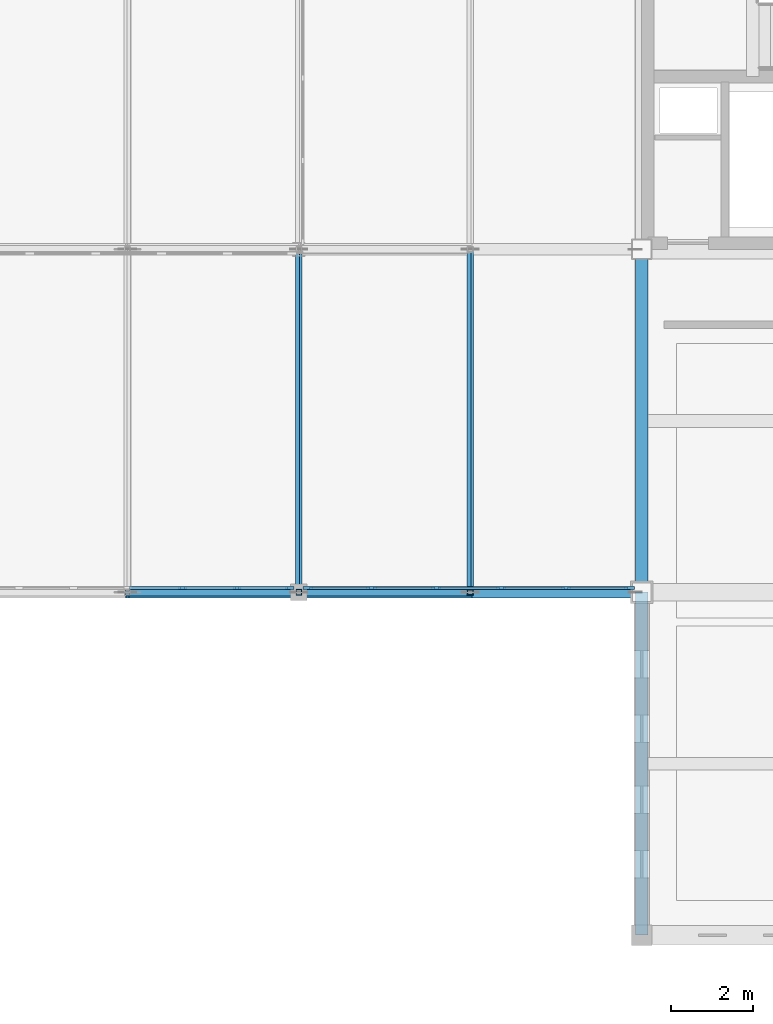
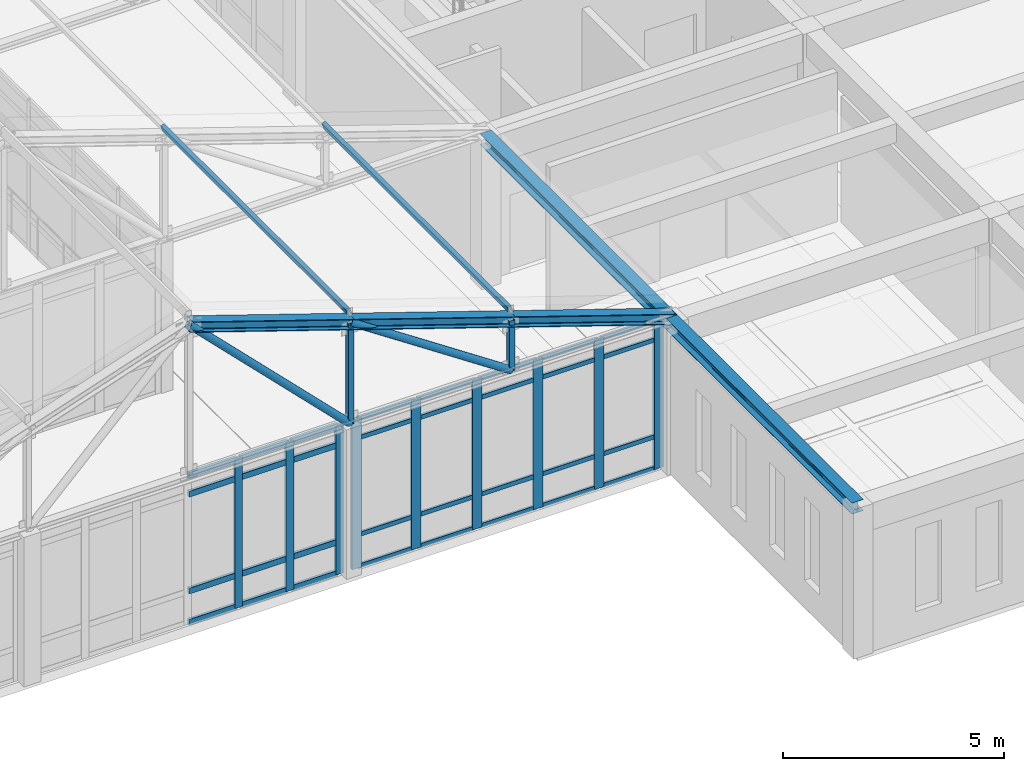
# One storey, part 55 of 192: 50 members, 2 beams, 2 elements without a shape of their own.
"""IFC4 building model written with IfcOpenShell, lengths in metres."""

import ifcopenshell
import ifcopenshell.guid

model = None  # the IFC model being written
_history = None  # IfcOwnerHistory: only IFC2X3 demands one
_inside = {}  # id of a spatial element -> (the spatial element, [elements in it])
_under = {}  # id of a project, library or spatial element -> (it, [spatial elements below it])
_declared = {}  # id of a project -> (the project, [libraries it declares])
_typed = {}  # id of a type object -> (the type object, [elements of that type])
_made_of = {}  # id of a material, layer set ... -> (it, [elements and type objects made of it])


def new_model(schema):
    """Start an empty IFC model of exactly this schema.

    Asked for "IFC4X3", IfcOpenShell would pick the latest addendum, in which some entities
    have other attributes; the version numbers below select the first issue.
    IFC2X3 requires an IfcOwnerHistory on every rooted entity: one is made here for all.
    """
    global model, _history
    if schema == "IFC4X3":
        model = ifcopenshell.file(schema_version=(4, 3, 0, 0))
    else:
        model = ifcopenshell.file(schema=schema)
    _inside.clear()
    _under.clear()
    _declared.clear()
    _typed.clear()
    _made_of.clear()
    _history = None
    if model.schema == "IFC2X3":
        org = make("IfcOrganization", Name="unknown")
        user = make(
            "IfcPersonAndOrganization",
            ThePerson=make("IfcPerson", FamilyName="unknown"),
            TheOrganization=org,
        )
        app = make(
            "IfcApplication",
            ApplicationDeveloper=org,
            Version="unknown",
            ApplicationFullName="unknown",
            ApplicationIdentifier="unknown",
        )
        _history = make(
            "IfcOwnerHistory",
            OwningUser=user,
            OwningApplication=app,
            ChangeAction="ADDED",
            CreationDate=0,
        )
    return model


def make(cls, **values):
    """One entity of the class cls with the attributes given. An attribute that is None is left unset."""
    return model.create_entity(
        cls, **{name: value for name, value in values.items() if value is not None}
    )


def rooted(cls, **values):
    """An entity with a GlobalId (a new one), such as an element, a storey or a relation."""
    return make(cls, GlobalId=ifcopenshell.guid.new(), OwnerHistory=_history, **values)


def si_unit(unit_type, name, prefix=None):
    """IfcSIUnit, for example si_unit("LENGTHUNIT", "METRE", prefix="MILLI")."""
    return make("IfcSIUnit", UnitType=unit_type, Prefix=prefix, Name=name)


def assignment(units):
    """IfcUnitAssignment: the units of a project."""
    return None if units is None else make("IfcUnitAssignment", Units=units)


def point(xyz):
    """IfcCartesianPoint."""
    return None if xyz is None else make("IfcCartesianPoint", Coordinates=xyz)


def direction(xyz):
    """IfcDirection."""
    return None if xyz is None else make("IfcDirection", DirectionRatios=xyz)


def frame(location, z_axis=None, x_axis=None):
    """IfcAxis2Placement3D, a coordinate frame: its origin and axes. An axis left out is left unset."""
    return make(
        "IfcAxis2Placement3D",
        Location=point(location),
        Axis=direction(z_axis),
        RefDirection=direction(x_axis),
    )


def frame_2d(location, x_axis=None):
    """IfcAxis2Placement2D, a coordinate frame in the plane: its origin and x axis."""
    return make(
        "IfcAxis2Placement2D", Location=point(location), RefDirection=direction(x_axis)
    )


def origin():
    """The frame at (0, 0, 0) with its axes left unset."""
    return frame((0.0, 0.0, 0.0))


def origin_2d():
    """The frame at (0, 0) in the plane with its x axis left unset."""
    return frame_2d((0.0, 0.0))


def place(relative_to, where):
    """IfcLocalPlacement: puts the frame where relative to a parent placement (None: the world)."""
    return make(
        "IfcLocalPlacement", PlacementRelTo=relative_to, RelativePlacement=where
    )


def context(
    kind, dimensions, precision=None, world=None, true_north=None, identifier=None
):
    """IfcGeometricRepresentationContext, for example the 3D "Model" context."""
    return make(
        "IfcGeometricRepresentationContext",
        ContextIdentifier=identifier,
        ContextType=kind,
        CoordinateSpaceDimension=dimensions,
        Precision=precision,
        WorldCoordinateSystem=world,
        TrueNorth=true_north,
    )


def subcontext(parent, identifier, kind, view, scale=None):
    """IfcGeometricRepresentationSubContext, for example "Body" below "Model"."""
    return make(
        "IfcGeometricRepresentationSubContext",
        ContextIdentifier=identifier,
        ContextType=kind,
        ParentContext=parent,
        TargetScale=scale,
        TargetView=view,
    )


def project(units=None, contexts=None):
    """IfcProject with its units and contexts."""
    return rooted(
        "IfcProject",
        Name="project",
        RepresentationContexts=contexts,
        UnitsInContext=assignment(units),
    )


def spatial(cls, under=None, at=None, **own):
    """A site, building, storey or space (cls), placed at a placement, below another one or the project."""
    s = rooted(cls, ObjectPlacement=at, **own)
    if under is not None:
        _under.setdefault(under.id(), (under, []))[1].append(s)
    return s


def profile(cls, at=None, kind="AREA", **sizes):
    """A parametric profile (cls). Its sizes go by their IFC names, for example OverallWidth=200.0."""
    return make(cls, ProfileType=kind, Position=at, **sizes)


def rectangle(**sizes):
    """IfcRectangleProfileDef."""
    return profile("IfcRectangleProfileDef", **sizes)


def hollow_rectangle(**sizes):
    """IfcRectangleHollowProfileDef."""
    return profile("IfcRectangleHollowProfileDef", **sizes)


def hollow_circle(**sizes):
    """IfcCircleHollowProfileDef."""
    return profile("IfcCircleHollowProfileDef", **sizes)


def i_section(**sizes):
    """IfcIShapeProfileDef."""
    return profile("IfcIShapeProfileDef", **sizes)


def extrude(swept, where, along, depth):
    """IfcExtrudedAreaSolid: the profile swept, set in the frame where, extruded along a direction by depth."""
    return make(
        "IfcExtrudedAreaSolid",
        SweptArea=swept,
        Position=where,
        ExtrudedDirection=direction(along),
        Depth=depth,
    )


def shape(context_of_items, identifier, shape_type, items):
    """IfcShapeRepresentation: the items that make up one representation, for example the "Body"."""
    return make(
        "IfcShapeRepresentation",
        ContextOfItems=context_of_items,
        RepresentationIdentifier=identifier,
        RepresentationType=shape_type,
        Items=items,
    )


def material(Name=None, Category=None):
    """IfcMaterial."""
    return make("IfcMaterial", Name=Name, Category=Category)


def layer(
    of_material, thickness, ventilated=None, Name=None, Category=None, Priority=None
):
    """IfcMaterialLayer: one layer of a wall or slab, of a material (None: an air gap)."""
    return make(
        "IfcMaterialLayer",
        Material=of_material,
        LayerThickness=thickness,
        IsVentilated=ventilated,
        Name=Name,
        Category=Category,
        Priority=Priority,
    )


def layer_set(layers, Name=None):
    """IfcMaterialLayerSet."""
    return make("IfcMaterialLayerSet", MaterialLayers=layers, LayerSetName=Name)


def material_profile(
    of_material, cross_section, Name=None, Category=None, Priority=None
):
    """IfcMaterialProfile: a cross section and its material."""
    return make(
        "IfcMaterialProfile",
        Name=Name,
        Material=of_material,
        Profile=cross_section,
        Priority=Priority,
        Category=Category,
    )


def profile_set(profiles, Name=None, composite=None):
    """IfcMaterialProfileSet."""
    return make(
        "IfcMaterialProfileSet",
        Name=Name,
        MaterialProfiles=profiles,
        CompositeProfile=composite,
    )


def made_of(thing, what):
    """Note that an element or type object is made of a material, layer set ...; save() writes the relation."""
    if what is not None:
        _made_of.setdefault(what.id(), (what, []))[1].append(thing)
    return thing


def type_object(cls, material=None, **own):
    """A type object (cls), such as IfcWallType, which elements share."""
    return made_of(rooted(cls, **own), material)


def element(
    cls,
    number,
    at=None,
    inside=None,
    cuts=None,
    type_object=None,
    material=None,
    context=None,
    identifier="Body",
    shape_type=None,
    held_by="IfcProductDefinitionShape",
    body=None,
    shapes=None,
    **own,
):
    """One element of the class cls, such as IfcWall. Its Tag is "e" and its number.

    at: its placement. inside: the storey or other place that contains it. cuts: it is an
    opening in that element (IfcRelVoidsElement). A single representation is given by context,
    identifier, shape_type and body (its items); several are given by shapes. held_by: the class
    of the entity that holds the representations. save() writes the other relations.
    """
    e = rooted(cls, Tag="e%d" % number, ObjectPlacement=at, **own)
    if body is not None:
        shapes = [shape(context, identifier, shape_type, body)]
    if shapes is not None:
        e.Representation = make(held_by, Representations=shapes)
    if inside is not None:
        _inside.setdefault(inside.id(), (inside, []))[1].append(e)
    if cuts is not None:
        rooted(
            "IfcRelVoidsElement", RelatingBuildingElement=cuts, RelatedOpeningElement=e
        )
    if type_object is not None:
        _typed.setdefault(type_object.id(), (type_object, []))[1].append(e)
    return made_of(e, material)


def aggregate(whole, parts):
    """IfcRelAggregates: a whole, such as a stair, and the parts it consists of."""
    return rooted("IfcRelAggregates", RelatingObject=whole, RelatedObjects=parts)


def save(model, path):
    """Write the relations noted so far, then the file.

    IfcRelAggregates (storeys below a building ...), IfcRelContainedInSpatialStructure (elements
    in a storey), IfcRelDefinesByType, IfcRelAssociatesMaterial and IfcRelDeclares: one each for
    every whole, place, type object, material and project.
    """
    for whole, parts in _under.values():
        aggregate(whole, parts)
    for where, things in _inside.values():
        rooted(
            "IfcRelContainedInSpatialStructure",
            RelatedElements=things,
            RelatingStructure=where,
        )
    for kind, things in _typed.values():
        rooted("IfcRelDefinesByType", RelatedObjects=things, RelatingType=kind)
    for what, things in _made_of.values():
        rooted("IfcRelAssociatesMaterial", RelatedObjects=things, RelatingMaterial=what)
    for by, libraries in _declared.values():
        rooted("IfcRelDeclares", RelatingContext=by, RelatedDefinitions=libraries)
    model.write(path)


model = new_model("IFC4")

# Units and contexts
model_context = context("Model", 3, precision=1e-05, world=origin(), true_north=direction((0.0, 1.0)))
body_context = subcontext(model_context, "Body", "Model", "MODEL_VIEW")
ifc_project = project(units=[si_unit("LENGTHUNIT", "METRE"), si_unit("AREAUNIT", "SQUARE_METRE"), si_unit("VOLUMEUNIT", "CUBIC_METRE"), si_unit("PLANEANGLEUNIT", "RADIAN"), si_unit("MASSUNIT", "GRAM", prefix="KILO")], contexts=[model_context])

# Site, building, storey
site_placement = place(None, origin())
site = spatial("IfcSite", under=ifc_project, at=site_placement, CompositionType="ELEMENT")
building_placement = place(site_placement, origin())
building = spatial("IfcBuilding", under=site, at=building_placement, Name="Kveldsbrygga Polytechnic", CompositionType="ELEMENT")
storey_placement = place(building_placement, frame((0.0, 0.0, 5.43994140625)))
storey = spatial("IfcBuildingStorey", under=building, at=storey_placement, Name="L01", CompositionType="ELEMENT", Elevation=5.43994140625)

# Beams
ifc_material_1 = material(Name="Steel S355", Category="steel")
ifc_material_profile_1 = material_profile(ifc_material_1, i_section(OverallWidth=0.300048828125, OverallDepth=0.31005859375, WebThickness=0.009033203125, FlangeThickness=0.015380859375, FilletRadius=0.027099609375, at=origin_2d()), Name="HEA 320")
ifc_profile_set_1 = profile_set([ifc_material_profile_1], Name="Steel S355")
beam_type = type_object("IfcBeamType", Name="BM-STL-HEA320", PredefinedType="BEAM", material=ifc_profile_set_1)
beam_1_placement = place(storey_placement, frame((75.60009765625, 0.0, 3.965087890625), z_axis=(0.0, 1.0, 0.0), x_axis=(-1.0, 0.0, 0.0)))
element("IfcBeam", 1, at=beam_1_placement, inside=storey, type_object=beam_type, Name="Primary Beam BMY-L01-09-00to01", PredefinedType="BEAM", context=body_context, shape_type="SweptSolid", body=[
    extrude(i_section(OverallWidth=0.300048828125, OverallDepth=0.31005859375, WebThickness=0.009033203125, FlangeThickness=0.015380859375, FilletRadius=0.027099609375, at=origin_2d()), origin(), (0.0, 0.0, 1.0), 8.39990234375),
])
beam_2_placement = place(storey_placement, frame((75.60009765625, 8.39990234375, 3.965087890625), z_axis=(0.0, 1.0, 0.0), x_axis=(-1.0, 0.0, 0.0)))
element("IfcBeam", 2, at=beam_2_placement, inside=storey, type_object=beam_type, Name="Primary Beam BMY-L01-09-01to02", PredefinedType="BEAM", context=body_context, shape_type="SweptSolid", body=[
    extrude(i_section(OverallWidth=0.300048828125, OverallDepth=0.31005859375, WebThickness=0.009033203125, FlangeThickness=0.015380859375, FilletRadius=0.027099609375, at=origin_2d()), origin(), (0.0, 0.0, 1.0), 8.400146484375),
])

# Curtain wall, members
ifc_material_2 = material(Name="Anodised aluminium AW-6060", Category="aluminium")
ifc_layer_1 = layer(ifc_material_2, 0.159912109375)
ifc_layer_set_1 = layer_set([ifc_layer_1], Name="Anodised aluminium AW-6060")
curtain_wall_type_1 = type_object("IfcCurtainWallType", Name="CW-CLER-C", PredefinedType="USERDEFINED", material=ifc_layer_set_1)
curtain_wall_1_placement = place(storey_placement, origin())
curtain_wall_1 = element("IfcCurtainWall", 3, at=curtain_wall_1_placement, inside=storey, type_object=curtain_wall_type_1, Name="Curtain Wall CW-L01-X-07-01", ObjectType="STICK CURTAIN WALL", PredefinedType="USERDEFINED")
ifc_material_profile_2 = material_profile(ifc_material_2, rectangle(XDim=0.074951171875, YDim=0.199951171875, at=origin_2d()), Name="ALU 75x200")
ifc_profile_set_2 = profile_set([ifc_material_profile_2], Name="Anodised aluminium AW-6060")
member_type_1 = type_object("IfcMemberType", Name="CW-MUL-200", PredefinedType="MULLION", material=ifc_profile_set_2)
member_1_placement = place(storey_placement, frame((64.3466796875, 8.5, 0.0), z_axis=(0.0, 0.0, 1.0), x_axis=(0.0, 1.0, 0.0)))
member_1 = element("IfcMember", 4, at=member_1_placement, type_object=member_type_1, Name="CW-03 mullion 5", PredefinedType="MULLION", context=body_context, shape_type="SweptSolid", body=[
    extrude(rectangle(XDim=0.074951171875, YDim=0.199951171875, at=origin_2d()), origin(), (0.0, 0.0, 1.0), 4.1201171875),
])
member_2_placement = place(storey_placement, frame((65.680908203125, 8.5, 0.0), z_axis=(0.0, 0.0, 1.0), x_axis=(0.0, 1.0, 0.0)))
member_2 = element("IfcMember", 5, at=member_2_placement, type_object=member_type_1, Name="CW-03 mullion 6", PredefinedType="MULLION", context=body_context, shape_type="SweptSolid", body=[
    extrude(rectangle(XDim=0.074951171875, YDim=0.199951171875, at=origin_2d()), origin(), (0.0, 0.0, 1.0), 4.1201171875),
])
member_3_placement = place(storey_placement, frame((66.9775390625, 8.5, 0.0), z_axis=(0.0, 0.0, 1.0), x_axis=(0.0, 1.0, 0.0)))
member_3 = element("IfcMember", 6, at=member_3_placement, type_object=member_type_1, Name="CW-03 mullion 7", PredefinedType="MULLION", context=body_context, shape_type="SweptSolid", body=[
    extrude(rectangle(XDim=0.074951171875, YDim=0.199951171875, at=origin_2d()), origin(), (0.0, 0.0, 1.0), 4.1201171875),
])

ifc_layer_2 = layer(ifc_material_2, 0.179931640625)
ifc_layer_set_2 = layer_set([ifc_layer_2], Name="Anodised aluminium AW-6060")
curtain_wall_type_2 = type_object("IfcCurtainWallType", Name="CW-LANC-D", PredefinedType="USERDEFINED", material=ifc_layer_set_2)
curtain_wall_2_placement = place(storey_placement, origin())
curtain_wall_2 = element("IfcCurtainWall", 7, at=curtain_wall_2_placement, inside=storey, type_object=curtain_wall_type_2, Name="Curtain Wall CW-L01-X-08-01", ObjectType="UNITISED CURTAIN WALL", PredefinedType="USERDEFINED")
ifc_material_profile_3 = material_profile(ifc_material_2, rectangle(XDim=0.074951171875, YDim=0.239990234375, at=origin_2d()), Name="ALU 75x240")
ifc_profile_set_3 = profile_set([ifc_material_profile_3], Name="Anodised aluminium AW-6060")
member_type_2 = type_object("IfcMemberType", Name="CW-MUL-240", PredefinedType="MULLION", material=ifc_profile_set_3)
member_4_placement = place(storey_placement, frame((67.422607421875, 8.5, 0.0), z_axis=(0.0, 0.0, 1.0), x_axis=(0.0, 1.0, 0.0)))
member_4 = element("IfcMember", 8, at=member_4_placement, type_object=member_type_2, Name="CW-04 mullion 1", PredefinedType="MULLION", context=body_context, shape_type="SweptSolid", body=[
    extrude(rectangle(XDim=0.074951171875, YDim=0.239990234375, at=origin_2d()), origin(), (0.0, 0.0, 1.0), 4.1201171875),
])
member_5_placement = place(storey_placement, frame((68.97607421875, 8.5, 0.0), z_axis=(0.0, 0.0, 1.0), x_axis=(0.0, 1.0, 0.0)))
member_5 = element("IfcMember", 9, at=member_5_placement, type_object=member_type_2, Name="CW-04 mullion 2", PredefinedType="MULLION", context=body_context, shape_type="SweptSolid", body=[
    extrude(rectangle(XDim=0.074951171875, YDim=0.239990234375, at=origin_2d()), origin(), (0.0, 0.0, 1.0), 4.1201171875),
])
member_6_placement = place(storey_placement, frame((70.56689453125, 8.5, 0.0), z_axis=(0.0, 0.0, 1.0), x_axis=(0.0, 1.0, 0.0)))
member_6 = element("IfcMember", 10, at=member_6_placement, type_object=member_type_2, Name="CW-04 mullion 3", PredefinedType="MULLION", context=body_context, shape_type="SweptSolid", body=[
    extrude(rectangle(XDim=0.074951171875, YDim=0.239990234375, at=origin_2d()), origin(), (0.0, 0.0, 1.0), 4.1201171875),
])
member_7_placement = place(storey_placement, frame((72.157958984375, 8.5, 0.0), z_axis=(0.0, 0.0, 1.0), x_axis=(0.0, 1.0, 0.0)))
member_7 = element("IfcMember", 11, at=member_7_placement, type_object=member_type_2, Name="CW-04 mullion 4", PredefinedType="MULLION", context=body_context, shape_type="SweptSolid", body=[
    extrude(rectangle(XDim=0.074951171875, YDim=0.239990234375, at=origin_2d()), origin(), (0.0, 0.0, 1.0), 4.1201171875),
])
member_8_placement = place(storey_placement, frame((73.7490234375, 8.5, 0.0), z_axis=(0.0, 0.0, 1.0), x_axis=(0.0, 1.0, 0.0)))
member_8 = element("IfcMember", 12, at=member_8_placement, type_object=member_type_2, Name="CW-04 mullion 5", PredefinedType="MULLION", context=body_context, shape_type="SweptSolid", body=[
    extrude(rectangle(XDim=0.074951171875, YDim=0.239990234375, at=origin_2d()), origin(), (0.0, 0.0, 1.0), 4.1201171875),
])
member_9_placement = place(storey_placement, frame((75.302490234375, 8.5, 0.0), z_axis=(0.0, 0.0, 1.0), x_axis=(0.0, 1.0, 0.0)))
member_9 = element("IfcMember", 13, at=member_9_placement, type_object=member_type_2, Name="CW-04 mullion 6", PredefinedType="MULLION", context=body_context, shape_type="SweptSolid", body=[
    extrude(rectangle(XDim=0.074951171875, YDim=0.239990234375, at=origin_2d()), origin(), (0.0, 0.0, 1.0), 4.1201171875),
])
ifc_material_profile_4 = material_profile(ifc_material_2, rectangle(XDim=0.06005859375, YDim=0.1201171875, at=origin_2d()), Name="ALU 60x120")
ifc_profile_set_4 = profile_set([ifc_material_profile_4], Name="Anodised aluminium AW-6060")
member_type_3 = type_object("IfcMemberType", Name="CW-TRN-120", PredefinedType="USERDEFINED", material=ifc_profile_set_4)
member_10_placement = place(storey_placement, frame((67.4599609375, 8.5, 0.030029296875), z_axis=(1.0, 0.0, 0.0), x_axis=(0.0, 1.0, 0.0)))
member_10 = element("IfcMember", 14, at=member_10_placement, type_object=member_type_3, Name="CW-04 transom 1.1", ObjectType="TRANSOM", PredefinedType="USERDEFINED", context=body_context, shape_type="SweptSolid", body=[
    extrude(rectangle(XDim=0.06005859375, YDim=0.1201171875, at=origin_2d()), origin(), (0.0, 0.0, 1.0), 1.478515625),
])
member_11_placement = place(storey_placement, frame((67.4599609375, 8.5, 0.900146484375), z_axis=(1.0, 0.0, 0.0), x_axis=(0.0, 1.0, 0.0)))
member_11 = element("IfcMember", 15, at=member_11_placement, type_object=member_type_3, Name="CW-04 transom 1.2", ObjectType="TRANSOM", PredefinedType="USERDEFINED", context=body_context, shape_type="SweptSolid", body=[
    extrude(rectangle(XDim=0.06005859375, YDim=0.1201171875, at=origin_2d()), origin(), (0.0, 0.0, 1.0), 1.478515625),
])
member_12_placement = place(storey_placement, frame((67.4599609375, 8.5, 3.570068359375), z_axis=(1.0, 0.0, 0.0), x_axis=(0.0, 1.0, 0.0)))
member_12 = element("IfcMember", 16, at=member_12_placement, type_object=member_type_3, Name="CW-04 transom 1.3", ObjectType="TRANSOM", PredefinedType="USERDEFINED", context=body_context, shape_type="SweptSolid", body=[
    extrude(rectangle(XDim=0.06005859375, YDim=0.1201171875, at=origin_2d()), origin(), (0.0, 0.0, 1.0), 1.478515625),
])
member_13_placement = place(storey_placement, frame((67.4599609375, 8.5, 4.090087890625), z_axis=(1.0, 0.0, 0.0), x_axis=(0.0, 1.0, 0.0)))
member_13 = element("IfcMember", 17, at=member_13_placement, type_object=member_type_3, Name="CW-04 transom 1.4", ObjectType="TRANSOM", PredefinedType="USERDEFINED", context=body_context, shape_type="SweptSolid", body=[
    extrude(rectangle(XDim=0.06005859375, YDim=0.1201171875, at=origin_2d()), origin(), (0.0, 0.0, 1.0), 1.478515625),
])
member_14_placement = place(storey_placement, frame((69.013427734375, 8.5, 0.030029296875), z_axis=(1.0, 0.0, 0.0), x_axis=(0.0, 1.0, 0.0)))
member_14 = element("IfcMember", 18, at=member_14_placement, type_object=member_type_3, Name="CW-04 transom 2.1", ObjectType="TRANSOM", PredefinedType="USERDEFINED", context=body_context, shape_type="SweptSolid", body=[
    extrude(rectangle(XDim=0.06005859375, YDim=0.1201171875, at=origin_2d()), origin(), (0.0, 0.0, 1.0), 1.51611328125),
])
member_15_placement = place(storey_placement, frame((69.013427734375, 8.5, 0.900146484375), z_axis=(1.0, 0.0, 0.0), x_axis=(0.0, 1.0, 0.0)))
member_15 = element("IfcMember", 19, at=member_15_placement, type_object=member_type_3, Name="CW-04 transom 2.2", ObjectType="TRANSOM", PredefinedType="USERDEFINED", context=body_context, shape_type="SweptSolid", body=[
    extrude(rectangle(XDim=0.06005859375, YDim=0.1201171875, at=origin_2d()), origin(), (0.0, 0.0, 1.0), 1.51611328125),
])
member_16_placement = place(storey_placement, frame((69.013427734375, 8.5, 3.570068359375), z_axis=(1.0, 0.0, 0.0), x_axis=(0.0, 1.0, 0.0)))
member_16 = element("IfcMember", 20, at=member_16_placement, type_object=member_type_3, Name="CW-04 transom 2.3", ObjectType="TRANSOM", PredefinedType="USERDEFINED", context=body_context, shape_type="SweptSolid", body=[
    extrude(rectangle(XDim=0.06005859375, YDim=0.1201171875, at=origin_2d()), origin(), (0.0, 0.0, 1.0), 1.51611328125),
])
member_17_placement = place(storey_placement, frame((69.013427734375, 8.5, 4.090087890625), z_axis=(1.0, 0.0, 0.0), x_axis=(0.0, 1.0, 0.0)))
member_17 = element("IfcMember", 21, at=member_17_placement, type_object=member_type_3, Name="CW-04 transom 2.4", ObjectType="TRANSOM", PredefinedType="USERDEFINED", context=body_context, shape_type="SweptSolid", body=[
    extrude(rectangle(XDim=0.06005859375, YDim=0.1201171875, at=origin_2d()), origin(), (0.0, 0.0, 1.0), 1.51611328125),
])
member_18_placement = place(storey_placement, frame((70.6044921875, 8.5, 0.030029296875), z_axis=(1.0, 0.0, 0.0), x_axis=(0.0, 1.0, 0.0)))
member_18 = element("IfcMember", 22, at=member_18_placement, type_object=member_type_3, Name="CW-04 transom 3.1", ObjectType="TRANSOM", PredefinedType="USERDEFINED", context=body_context, shape_type="SweptSolid", body=[
    extrude(rectangle(XDim=0.06005859375, YDim=0.1201171875, at=origin_2d()), origin(), (0.0, 0.0, 1.0), 1.51611328125),
])
member_19_placement = place(storey_placement, frame((70.6044921875, 8.5, 0.900146484375), z_axis=(1.0, 0.0, 0.0), x_axis=(0.0, 1.0, 0.0)))
member_19 = element("IfcMember", 23, at=member_19_placement, type_object=member_type_3, Name="CW-04 transom 3.2", ObjectType="TRANSOM", PredefinedType="USERDEFINED", context=body_context, shape_type="SweptSolid", body=[
    extrude(rectangle(XDim=0.06005859375, YDim=0.1201171875, at=origin_2d()), origin(), (0.0, 0.0, 1.0), 1.51611328125),
])
member_20_placement = place(storey_placement, frame((70.6044921875, 8.5, 3.570068359375), z_axis=(1.0, 0.0, 0.0), x_axis=(0.0, 1.0, 0.0)))
member_20 = element("IfcMember", 24, at=member_20_placement, type_object=member_type_3, Name="CW-04 transom 3.3", ObjectType="TRANSOM", PredefinedType="USERDEFINED", context=body_context, shape_type="SweptSolid", body=[
    extrude(rectangle(XDim=0.06005859375, YDim=0.1201171875, at=origin_2d()), origin(), (0.0, 0.0, 1.0), 1.51611328125),
])
member_21_placement = place(storey_placement, frame((70.6044921875, 8.5, 4.090087890625), z_axis=(1.0, 0.0, 0.0), x_axis=(0.0, 1.0, 0.0)))
member_21 = element("IfcMember", 25, at=member_21_placement, type_object=member_type_3, Name="CW-04 transom 3.4", ObjectType="TRANSOM", PredefinedType="USERDEFINED", context=body_context, shape_type="SweptSolid", body=[
    extrude(rectangle(XDim=0.06005859375, YDim=0.1201171875, at=origin_2d()), origin(), (0.0, 0.0, 1.0), 1.51611328125),
])
member_22_placement = place(storey_placement, frame((72.195556640625, 8.5, 0.030029296875), z_axis=(1.0, 0.0, 0.0), x_axis=(0.0, 1.0, 0.0)))
member_22 = element("IfcMember", 26, at=member_22_placement, type_object=member_type_3, Name="CW-04 transom 4.1", ObjectType="TRANSOM", PredefinedType="USERDEFINED", context=body_context, shape_type="SweptSolid", body=[
    extrude(rectangle(XDim=0.06005859375, YDim=0.1201171875, at=origin_2d()), origin(), (0.0, 0.0, 1.0), 1.515869140625),
])
member_23_placement = place(storey_placement, frame((72.195556640625, 8.5, 0.900146484375), z_axis=(1.0, 0.0, 0.0), x_axis=(0.0, 1.0, 0.0)))
member_23 = element("IfcMember", 27, at=member_23_placement, type_object=member_type_3, Name="CW-04 transom 4.2", ObjectType="TRANSOM", PredefinedType="USERDEFINED", context=body_context, shape_type="SweptSolid", body=[
    extrude(rectangle(XDim=0.06005859375, YDim=0.1201171875, at=origin_2d()), origin(), (0.0, 0.0, 1.0), 1.515869140625),
])
member_24_placement = place(storey_placement, frame((72.195556640625, 8.5, 3.570068359375), z_axis=(1.0, 0.0, 0.0), x_axis=(0.0, 1.0, 0.0)))
member_24 = element("IfcMember", 28, at=member_24_placement, type_object=member_type_3, Name="CW-04 transom 4.3", ObjectType="TRANSOM", PredefinedType="USERDEFINED", context=body_context, shape_type="SweptSolid", body=[
    extrude(rectangle(XDim=0.06005859375, YDim=0.1201171875, at=origin_2d()), origin(), (0.0, 0.0, 1.0), 1.515869140625),
])
member_25_placement = place(storey_placement, frame((72.195556640625, 8.5, 4.090087890625), z_axis=(1.0, 0.0, 0.0), x_axis=(0.0, 1.0, 0.0)))
member_25 = element("IfcMember", 29, at=member_25_placement, type_object=member_type_3, Name="CW-04 transom 4.4", ObjectType="TRANSOM", PredefinedType="USERDEFINED", context=body_context, shape_type="SweptSolid", body=[
    extrude(rectangle(XDim=0.06005859375, YDim=0.1201171875, at=origin_2d()), origin(), (0.0, 0.0, 1.0), 1.515869140625),
])
member_26_placement = place(storey_placement, frame((73.78662109375, 8.5, 0.030029296875), z_axis=(1.0, 0.0, 0.0), x_axis=(0.0, 1.0, 0.0)))
member_26 = element("IfcMember", 30, at=member_26_placement, type_object=member_type_3, Name="CW-04 transom 5.1", ObjectType="TRANSOM", PredefinedType="USERDEFINED", context=body_context, shape_type="SweptSolid", body=[
    extrude(rectangle(XDim=0.06005859375, YDim=0.1201171875, at=origin_2d()), origin(), (0.0, 0.0, 1.0), 1.478271484375),
])
member_27_placement = place(storey_placement, frame((73.78662109375, 8.5, 0.900146484375), z_axis=(1.0, 0.0, 0.0), x_axis=(0.0, 1.0, 0.0)))
member_27 = element("IfcMember", 31, at=member_27_placement, type_object=member_type_3, Name="CW-04 transom 5.2", ObjectType="TRANSOM", PredefinedType="USERDEFINED", context=body_context, shape_type="SweptSolid", body=[
    extrude(rectangle(XDim=0.06005859375, YDim=0.1201171875, at=origin_2d()), origin(), (0.0, 0.0, 1.0), 1.478271484375),
])
member_28_placement = place(storey_placement, frame((73.78662109375, 8.5, 3.570068359375), z_axis=(1.0, 0.0, 0.0), x_axis=(0.0, 1.0, 0.0)))
member_28 = element("IfcMember", 32, at=member_28_placement, type_object=member_type_3, Name="CW-04 transom 5.3", ObjectType="TRANSOM", PredefinedType="USERDEFINED", context=body_context, shape_type="SweptSolid", body=[
    extrude(rectangle(XDim=0.06005859375, YDim=0.1201171875, at=origin_2d()), origin(), (0.0, 0.0, 1.0), 1.478271484375),
])
member_29_placement = place(storey_placement, frame((73.78662109375, 8.5, 4.090087890625), z_axis=(1.0, 0.0, 0.0), x_axis=(0.0, 1.0, 0.0)))
member_29 = element("IfcMember", 33, at=member_29_placement, type_object=member_type_3, Name="CW-04 transom 5.4", ObjectType="TRANSOM", PredefinedType="USERDEFINED", context=body_context, shape_type="SweptSolid", body=[
    extrude(rectangle(XDim=0.06005859375, YDim=0.1201171875, at=origin_2d()), origin(), (0.0, 0.0, 1.0), 1.478271484375),
])
aggregate(curtain_wall_2, [member_4, member_5, member_6, member_7, member_8, member_9, member_10, member_11, member_12, member_13, member_14, member_15, member_16, member_17, member_18, member_19, member_20, member_21, member_22, member_23, member_24, member_25, member_26, member_27, member_28, member_29])

# Member
ifc_material_profile_5 = material_profile(ifc_material_2, rectangle(XDim=0.074951171875, YDim=0.159912109375, at=origin_2d()), Name="ALU 75x160")
ifc_profile_set_5 = profile_set([ifc_material_profile_5], Name="Anodised aluminium AW-6060")
member_type_4 = type_object("IfcMemberType", Name="CW-TRN-160", PredefinedType="USERDEFINED", material=ifc_profile_set_5)
member_30_placement = place(storey_placement, frame((63.050048828125, 8.5, 0.03759765625), z_axis=(1.0, 0.0, 0.0), x_axis=(0.0, 1.0, 0.0)))
member_30 = element("IfcMember", 34, at=member_30_placement, type_object=member_type_4, Name="CW-03 transom 4.1", ObjectType="TRANSOM", PredefinedType="USERDEFINED", context=body_context, shape_type="SweptSolid", body=[
    extrude(rectangle(XDim=0.074951171875, YDim=0.159912109375, at=origin_2d()), origin(), (0.0, 0.0, 1.0), 1.259033203125),
])

member_31_placement = place(storey_placement, frame((63.050048828125, 8.5, 0.900146484375), z_axis=(1.0, 0.0, 0.0), x_axis=(0.0, 1.0, 0.0)))
member_31 = element("IfcMember", 35, at=member_31_placement, type_object=member_type_4, Name="CW-03 transom 4.2", ObjectType="TRANSOM", PredefinedType="USERDEFINED", context=body_context, shape_type="SweptSolid", body=[
    extrude(rectangle(XDim=0.074951171875, YDim=0.159912109375, at=origin_2d()), origin(), (0.0, 0.0, 1.0), 1.259033203125),
])

member_32_placement = place(storey_placement, frame((63.050048828125, 8.5, 3.570068359375), z_axis=(1.0, 0.0, 0.0), x_axis=(0.0, 1.0, 0.0)))
member_32 = element("IfcMember", 36, at=member_32_placement, type_object=member_type_4, Name="CW-03 transom 4.3", ObjectType="TRANSOM", PredefinedType="USERDEFINED", context=body_context, shape_type="SweptSolid", body=[
    extrude(rectangle(XDim=0.074951171875, YDim=0.159912109375, at=origin_2d()), origin(), (0.0, 0.0, 1.0), 1.259033203125),
])

member_33_placement = place(storey_placement, frame((63.050048828125, 8.5, 4.08251953125), z_axis=(1.0, 0.0, 0.0), x_axis=(0.0, 1.0, 0.0)))
member_33 = element("IfcMember", 37, at=member_33_placement, type_object=member_type_4, Name="CW-03 transom 4.4", ObjectType="TRANSOM", PredefinedType="USERDEFINED", context=body_context, shape_type="SweptSolid", body=[
    extrude(rectangle(XDim=0.074951171875, YDim=0.159912109375, at=origin_2d()), origin(), (0.0, 0.0, 1.0), 1.259033203125),
])

member_34_placement = place(storey_placement, frame((64.38427734375, 8.5, 0.03759765625), z_axis=(1.0, 0.0, 0.0), x_axis=(0.0, 1.0, 0.0)))
member_34 = element("IfcMember", 38, at=member_34_placement, type_object=member_type_4, Name="CW-03 transom 5.1", ObjectType="TRANSOM", PredefinedType="USERDEFINED", context=body_context, shape_type="SweptSolid", body=[
    extrude(rectangle(XDim=0.074951171875, YDim=0.159912109375, at=origin_2d()), origin(), (0.0, 0.0, 1.0), 1.259033203125),
])

member_35_placement = place(storey_placement, frame((64.38427734375, 8.5, 0.900146484375), z_axis=(1.0, 0.0, 0.0), x_axis=(0.0, 1.0, 0.0)))
member_35 = element("IfcMember", 39, at=member_35_placement, type_object=member_type_4, Name="CW-03 transom 5.2", ObjectType="TRANSOM", PredefinedType="USERDEFINED", context=body_context, shape_type="SweptSolid", body=[
    extrude(rectangle(XDim=0.074951171875, YDim=0.159912109375, at=origin_2d()), origin(), (0.0, 0.0, 1.0), 1.259033203125),
])

member_36_placement = place(storey_placement, frame((64.38427734375, 8.5, 3.570068359375), z_axis=(1.0, 0.0, 0.0), x_axis=(0.0, 1.0, 0.0)))
member_36 = element("IfcMember", 40, at=member_36_placement, type_object=member_type_4, Name="CW-03 transom 5.3", ObjectType="TRANSOM", PredefinedType="USERDEFINED", context=body_context, shape_type="SweptSolid", body=[
    extrude(rectangle(XDim=0.074951171875, YDim=0.159912109375, at=origin_2d()), origin(), (0.0, 0.0, 1.0), 1.259033203125),
])

member_37_placement = place(storey_placement, frame((64.38427734375, 8.5, 4.08251953125), z_axis=(1.0, 0.0, 0.0), x_axis=(0.0, 1.0, 0.0)))
member_37 = element("IfcMember", 41, at=member_37_placement, type_object=member_type_4, Name="CW-03 transom 5.4", ObjectType="TRANSOM", PredefinedType="USERDEFINED", context=body_context, shape_type="SweptSolid", body=[
    extrude(rectangle(XDim=0.074951171875, YDim=0.159912109375, at=origin_2d()), origin(), (0.0, 0.0, 1.0), 1.259033203125),
])

member_38_placement = place(storey_placement, frame((65.71826171875, 8.5, 0.03759765625), z_axis=(1.0, 0.0, 0.0), x_axis=(0.0, 1.0, 0.0)))
member_38 = element("IfcMember", 42, at=member_38_placement, type_object=member_type_4, Name="CW-03 transom 6.1", ObjectType="TRANSOM", PredefinedType="USERDEFINED", context=body_context, shape_type="SweptSolid", body=[
    extrude(rectangle(XDim=0.074951171875, YDim=0.159912109375, at=origin_2d()), origin(), (0.0, 0.0, 1.0), 1.2216796875),
])

member_39_placement = place(storey_placement, frame((65.71826171875, 8.5, 0.900146484375), z_axis=(1.0, 0.0, 0.0), x_axis=(0.0, 1.0, 0.0)))
member_39 = element("IfcMember", 43, at=member_39_placement, type_object=member_type_4, Name="CW-03 transom 6.2", ObjectType="TRANSOM", PredefinedType="USERDEFINED", context=body_context, shape_type="SweptSolid", body=[
    extrude(rectangle(XDim=0.074951171875, YDim=0.159912109375, at=origin_2d()), origin(), (0.0, 0.0, 1.0), 1.2216796875),
])

member_40_placement = place(storey_placement, frame((65.71826171875, 8.5, 3.570068359375), z_axis=(1.0, 0.0, 0.0), x_axis=(0.0, 1.0, 0.0)))
member_40 = element("IfcMember", 44, at=member_40_placement, type_object=member_type_4, Name="CW-03 transom 6.3", ObjectType="TRANSOM", PredefinedType="USERDEFINED", context=body_context, shape_type="SweptSolid", body=[
    extrude(rectangle(XDim=0.074951171875, YDim=0.159912109375, at=origin_2d()), origin(), (0.0, 0.0, 1.0), 1.2216796875),
])

member_41_placement = place(storey_placement, frame((65.71826171875, 8.5, 4.08251953125), z_axis=(1.0, 0.0, 0.0), x_axis=(0.0, 1.0, 0.0)))
member_41 = element("IfcMember", 45, at=member_41_placement, type_object=member_type_4, Name="CW-03 transom 6.4", ObjectType="TRANSOM", PredefinedType="USERDEFINED", context=body_context, shape_type="SweptSolid", body=[
    extrude(rectangle(XDim=0.074951171875, YDim=0.159912109375, at=origin_2d()), origin(), (0.0, 0.0, 1.0), 1.2216796875),
])

aggregate(curtain_wall_1, [member_1, member_2, member_3, member_30, member_31, member_32, member_33, member_34, member_35, member_36, member_37, member_38, member_39, member_40, member_41])

# Members
ifc_material_profile_6 = material_profile(ifc_material_1, hollow_rectangle(XDim=0.10009765625, YDim=0.199951171875, WallThickness=0.010009765625, at=origin_2d()), Name="RHS 200x100x10.0")
ifc_profile_set_6 = profile_set([ifc_material_profile_6], Name="Steel S355")
member_type_5 = type_object("IfcMemberType", Name="PRL-RHS200", PredefinedType="PURLIN", material=ifc_profile_set_6)
for number, where, z_axis, x_axis, name in (
    (46, (67.199951171875, 8.39990234375, 7.173095703125), (0.0, 1.0, 0.0), (-0.948683567514, 0.0, -0.316226957624), "Roof Purlin V5C-PRL-1-4"),
    (47, (71.39990234375, 8.39990234375, 5.77294921875), (0.0, 1.0, 0.0), (-0.948683567514, 0.0, -0.316226957624), "Roof Purlin V5C-PRL-1-5"),
):
    element("IfcMember", number, at=place(storey_placement, frame(where, z_axis=z_axis, x_axis=x_axis)), inside=storey, type_object=member_type_5, Name=name, PredefinedType="PURLIN", context=body_context, shape_type="SweptSolid", body=[
        extrude(hollow_rectangle(XDim=0.10009765625, YDim=0.199951171875, WallThickness=0.010009765625, at=origin_2d()), origin(), (0.0, 0.0, 1.0), 8.400146484375),
    ])
ifc_material_profile_7 = material_profile(ifc_material_1, hollow_circle(Radius=0.096923828125, WallThickness=0.010009765625, at=origin_2d()), Name="CHS 193.7x10.0")
ifc_profile_set_7 = profile_set([ifc_material_profile_7], Name="Steel S355")
member_type_6 = type_object("IfcMemberType", Name="TR-DIAG-CHS194", PredefinedType="BRACE", material=ifc_profile_set_7)
member_42_placement = place(storey_placement, frame((63.0, 8.39990234375, 8.320068359375), z_axis=(0.707106781187, 0.0, -0.707106781187), x_axis=(0.0, 1.0, 0.0)))
element("IfcMember", 48, at=member_42_placement, inside=storey, type_object=member_type_6, Name="Truss Diagonal V5C-T01-DG-4", PredefinedType="BRACE", context=body_context, shape_type="SweptSolid", body=[
    extrude(hollow_circle(Radius=0.096923828125, WallThickness=0.010009765625, at=origin_2d()), origin(), (0.0, 0.0, 1.0), 5.939697265625),
])
member_43_placement = place(storey_placement, frame((67.199951171875, 8.39990234375, 6.920166015625), z_axis=(0.832042853317, 0.0, -0.554711357594), x_axis=(0.0, 1.0, 0.0)))
element("IfcMember", 49, at=member_43_placement, inside=storey, type_object=member_type_6, Name="Truss Diagonal V5C-T01-DG-5", PredefinedType="BRACE", context=body_context, shape_type="SweptSolid", body=[
    extrude(hollow_circle(Radius=0.096923828125, WallThickness=0.010009765625, at=origin_2d()), origin(), (0.0, 0.0, 1.0), 5.0478515625),
])
ifc_material_profile_8 = material_profile(ifc_material_1, hollow_rectangle(XDim=0.139892578125, YDim=0.139892578125, WallThickness=0.008056640625, at=origin_2d()), Name="SHS 140x140x8.0")
ifc_profile_set_8 = profile_set([ifc_material_profile_8], Name="Steel S355")
member_type_7 = type_object("IfcMemberType", Name="TR-POST-SHS140", PredefinedType="STRUT", material=ifc_profile_set_8)
member_44_placement = place(storey_placement, frame((67.199951171875, 8.39990234375, 4.1201171875), z_axis=(0.0, 0.0, 1.0), x_axis=(1.0, 0.0, 0.0)))
element("IfcMember", 50, at=member_44_placement, inside=storey, type_object=member_type_7, Name="Truss Vertical V5C-T01-VT-4", PredefinedType="STRUT", context=body_context, shape_type="SweptSolid", body=[
    extrude(hollow_rectangle(XDim=0.139892578125, YDim=0.139892578125, WallThickness=0.008056640625, at=origin_2d()), origin(), (0.0, 0.0, 1.0), 2.800048828125),
])
member_45_placement = place(storey_placement, frame((71.39990234375, 8.39990234375, 4.1201171875), z_axis=(0.0, 0.0, 1.0), x_axis=(1.0, 0.0, 0.0)))
element("IfcMember", 51, at=member_45_placement, inside=storey, type_object=member_type_7, Name="Truss Vertical V5C-T01-VT-5", PredefinedType="STRUT", context=body_context, shape_type="SweptSolid", body=[
    extrude(hollow_rectangle(XDim=0.139892578125, YDim=0.139892578125, WallThickness=0.008056640625, at=origin_2d()), origin(), (0.0, 0.0, 1.0), 1.39990234375),
])
ifc_material_profile_9 = material_profile(ifc_material_1, i_section(OverallWidth=0.280029296875, OverallDepth=0.280029296875, WebThickness=0.010498046875, FlangeThickness=0.01806640625, FilletRadius=0.02392578125, at=origin_2d()), Name="HEB 280")
ifc_profile_set_9 = profile_set([ifc_material_profile_9], Name="Steel S355")
member_type_8 = type_object("IfcMemberType", Name="TR-TOP-HEB280", PredefinedType="CHORD", material=ifc_profile_set_9)
member_46_placement = place(storey_placement, frame((63.0, 8.39990234375, 8.320068359375), z_axis=(0.948688812577, 0.0, -0.316211221956), x_axis=(0.0, 1.0, 0.0)))
element("IfcMember", 52, at=member_46_placement, inside=storey, type_object=member_type_8, Name="Truss Top Chord V5C-T01-TC-4", PredefinedType="CHORD", context=body_context, shape_type="SweptSolid", body=[
    extrude(i_section(OverallWidth=0.280029296875, OverallDepth=0.280029296875, WebThickness=0.010498046875, FlangeThickness=0.01806640625, FilletRadius=0.02392578125, at=origin_2d()), origin(), (0.0, 0.0, 1.0), 4.427001953125),
])
for number, where, z_axis, x_axis, name in (
    (53, (67.199951171875, 8.39990234375, 6.920166015625), (0.948672268324, 0.0, -0.316260853272), (0.0, 1.0, 0.0), "Truss Top Chord V5C-T01-TC-5"),
    (54, (71.39990234375, 8.39990234375, 5.52001953125), (0.948694326238, 0.0, -0.316194679531), (0.0, 1.0, 0.0), "Truss Top Chord V5C-T01-TC-6"),
):
    element("IfcMember", number, at=place(storey_placement, frame(where, z_axis=z_axis, x_axis=x_axis)), inside=storey, type_object=member_type_8, Name=name, PredefinedType="CHORD", context=body_context, shape_type="SweptSolid", body=[
        extrude(i_section(OverallWidth=0.280029296875, OverallDepth=0.280029296875, WebThickness=0.010498046875, FlangeThickness=0.01806640625, FilletRadius=0.02392578125, at=origin_2d()), origin(), (0.0, 0.0, 1.0), 4.42724609375),
    ])

save(model, "model.ifc")
